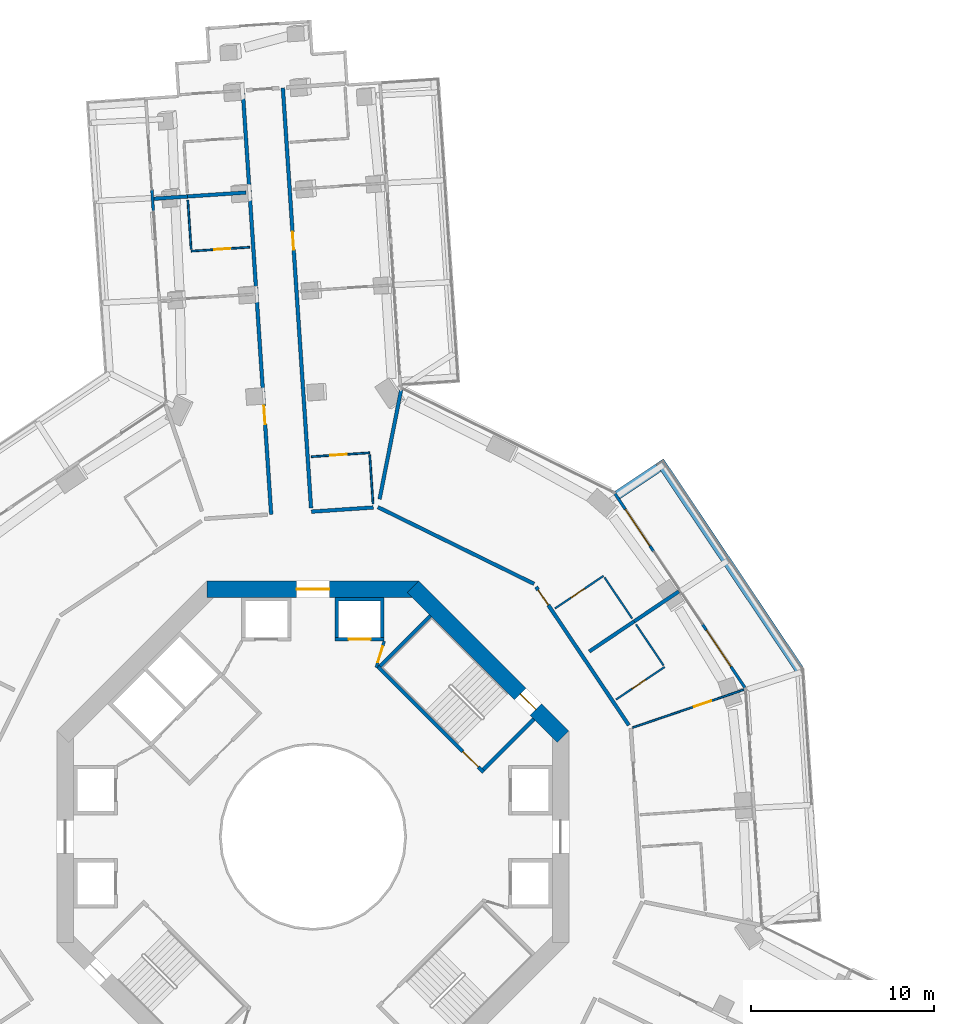
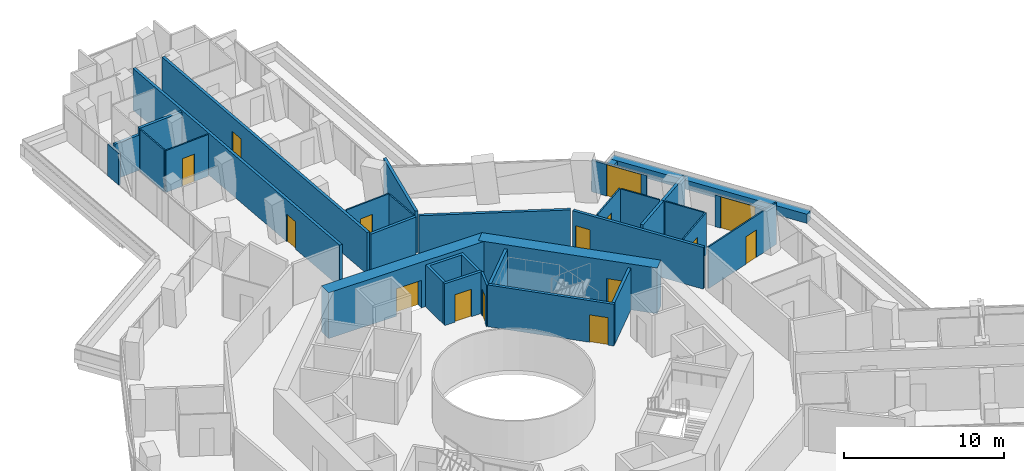
# One storey, part 21 of 25: 32 walls, 15 doors, 15 openings.
"""IFC4 building model written with IfcOpenShell, lengths in metres."""

from ifc_helpers import new_model, si_unit, direction, frame, frame_2d, origin, place, context, subcontext, project, spatial, polyline, rectangle, outline, extrude, material, layer, layer_set, type_object, element, fill, save


model = new_model("IFC4")

# Units and contexts
model_context = context("Model", 3, precision=1e-05, world=origin(), true_north=direction((0.0, 1.0)))
body_context = subcontext(model_context, "Body", "Model", "MODEL_VIEW")
ifc_project = project(units=[si_unit("LENGTHUNIT", "METRE"), si_unit("AREAUNIT", "SQUARE_METRE"), si_unit("VOLUMEUNIT", "CUBIC_METRE"), si_unit("PLANEANGLEUNIT", "RADIAN"), si_unit("MASSUNIT", "GRAM", prefix="KILO")], contexts=[model_context])

# Site, building, storey
site_placement = place(None, origin())
site = spatial("IfcSite", under=ifc_project, at=site_placement, CompositionType="ELEMENT")
building_placement = place(site_placement, origin())
building = spatial("IfcBuilding", under=site, at=building_placement, Name="Verdalira Terraces Hotel", CompositionType="ELEMENT")
storey_placement = place(building_placement, frame((0.0, 0.0, 49.5)))
storey = spatial("IfcBuildingStorey", under=building, at=storey_placement, Name="L10", CompositionType="ELEMENT", Elevation=49.5)

# Walls
ifc_material_1 = material(Name="Concrete C40", Category="concrete")
ifc_layer_1 = layer(ifc_material_1, 0.5)
ifc_layer_set_1 = layer_set([ifc_layer_1], Name="Balcony planter trough with tree")
wall_type_1 = type_object("IfcWallType", Name="Balcony planter trough with tree", PredefinedType="SOLIDWALL", material=ifc_layer_set_1)
wall_1_placement = place(storey_placement, frame((26.621582, 9.151855, 0.0), z_axis=(0.0, 0.0, 1.0), x_axis=(-0.55686597, 0.830602367, 0.0)))
element("IfcWall", 1, at=wall_1_placement, inside=storey, type_object=wall_type_1, Name="Balcony planter", PredefinedType="SOLIDWALL", context=body_context, shape_type="SweptSolid", body=[
    extrude(rectangle(XDim=13.723389, YDim=0.5, at=frame_2d((6.861816, 0.0))), origin(), (0.0, 0.0, 1.0), 0.699951),
])
wall_2_placement = place(storey_placement, frame((18.910889, 20.203613, 0.0), z_axis=(0.0, 0.0, 1.0), x_axis=(-0.830600108, -0.556869339, 0.0)))
element("IfcWall", 2, at=wall_2_placement, inside=storey, type_object=wall_type_1, Name="Balcony planter", PredefinedType="SOLIDWALL", context=body_context, shape_type="SweptSolid", body=[
    extrude(rectangle(XDim=2.698975, YDim=0.5, at=frame_2d((1.349609, 0.0))), origin(), (0.0, 0.0, 1.0), 0.699951),
])
ifc_material_2 = material(Name="Moisture-resistant gypsum board partition")
ifc_layer_2 = layer(ifc_material_2, 0.10009765625)
ifc_layer_set_2 = layer_set([ifc_layer_2], Name="Bathroom partition 100 mm")
wall_type_2 = type_object("IfcWallType", Name="Bathroom partition 100 mm", PredefinedType="PARTITIONING", material=ifc_layer_set_2)
wall_3_placement = place(storey_placement, frame((-6.848877, 34.844238, 0.0), z_axis=(0.0, 0.0, 1.0), x_axis=(0.066915118, -0.997758672, 0.0)))
element("IfcWall", 3, at=wall_3_placement, inside=storey, type_object=wall_type_2, Name="Bathroom partition", PredefinedType="PARTITIONING", context=body_context, shape_type="SweptSolid", body=[
    extrude(rectangle(XDim=2.699951, YDim=0.100098, at=frame_2d((1.350098, 0.0))), origin(), (0.0, 0.0, 1.0), 3.189941),
])

# Wall, opening, door
wall_4_placement = place(storey_placement, frame((-6.661377, 32.050537, 0.0), z_axis=(0.0, 0.0, 1.0), x_axis=(0.997753992, 0.06698486, 0.0)))
wall_4 = element("IfcWall", 4, at=wall_4_placement, inside=storey, type_object=wall_type_2, Name="Bathroom partition", PredefinedType="PARTITIONING", context=body_context, shape_type="SweptSolid", body=[
    extrude(rectangle(XDim=3.199951, YDim=0.100098, at=frame_2d((1.600098, 0.0))), origin(), (0.0, 0.0, 1.0), 3.189941),
])
opening_1_placement = place(wall_4_placement, frame((1.25, 0.0, 0.0)))
opening_1 = element("IfcOpeningElement", 5, at=opening_1_placement, cuts=wall_4, Name="Opening L10-111", PredefinedType="OPENING", context=body_context, shape_type="SweptSolid", body=[
    extrude(rectangle(XDim=0.899902, YDim=2.100098, at=frame_2d((0.449951, 1.050049))), frame((0.0, 0.060059, 0.0), z_axis=(0.0, -1.0, 0.0), x_axis=(1.0, 0.0, 0.0)), (0.0, 0.0, 1.0), 0.120117),
])
ifc_material_3 = material(Name="Timber door", Category="wood")
door_type_1 = type_object("IfcDoorType", Name="Bathroom door 900 x 2100", OperationType="NOTDEFINED", PredefinedType="DOOR", material=ifc_material_3)
door_1_placement = place(opening_1_placement, origin())
door_1 = element("IfcDoor", 6, at=door_1_placement, inside=storey, type_object=door_type_1, Name="Bathroom door 1003", OperationType="SINGLE_SWING_LEFT", OverallHeight=2.10009765625, OverallWidth=0.89990234375, PredefinedType="DOOR", context=body_context, shape_type="SweptSolid", body=[
    extrude(rectangle(XDim=0.899902, YDim=2.100098, at=frame_2d((0.449951, 1.050049))), frame((0.0, 0.024902, 0.0), z_axis=(0.0, -1.0, 0.0), x_axis=(1.0, 0.0, 0.0)), (0.0, 0.0, 1.0), 0.050049),
])
fill(opening_1, door_1)

wall_5_placement = place(storey_placement, frame((3.099609, 21.013184, 0.0), z_axis=(0.0, 0.0, 1.0), x_axis=(-0.99775365, -0.06698996, 0.0)))
wall_5 = element("IfcWall", 7, at=wall_5_placement, inside=storey, type_object=wall_type_2, Name="Bathroom partition", PredefinedType="PARTITIONING", context=body_context, shape_type="SweptSolid", body=[
    extrude(rectangle(XDim=3.199707, YDim=0.100098, at=frame_2d((1.599854, 0.0))), origin(), (0.0, 0.0, 1.0), 3.189941),
])
opening_2_placement = place(wall_5_placement, frame((1.25, 0.0, 0.0)))
opening_2 = element("IfcOpeningElement", 8, at=opening_2_placement, cuts=wall_5, Name="Opening L10-104", PredefinedType="OPENING", context=body_context, shape_type="SweptSolid", body=[
    extrude(rectangle(XDim=0.899902, YDim=2.100098, at=frame_2d((0.449951, 1.050049))), frame((0.0, 0.060059, 0.0), z_axis=(0.0, -1.0, 0.0), x_axis=(1.0, 0.0, 0.0)), (0.0, 0.0, 1.0), 0.120117),
])
door_2_placement = place(opening_2_placement, origin())
door_2 = element("IfcDoor", 9, at=door_2_placement, inside=storey, type_object=door_type_1, Name="Bathroom door 1001", OperationType="SINGLE_SWING_LEFT", OverallHeight=2.10009765625, OverallWidth=0.89990234375, PredefinedType="DOOR", context=body_context, shape_type="SweptSolid", body=[
    extrude(rectangle(XDim=0.899902, YDim=2.100098, at=frame_2d((0.449951, 1.050049))), frame((0.0, 0.024902, 0.0), z_axis=(0.0, -1.0, 0.0), x_axis=(1.0, 0.0, 0.0)), (0.0, 0.0, 1.0), 0.050049),
])
fill(opening_2, door_2)

# Wall
wall_6_placement = place(storey_placement, frame((3.287109, 18.219482, 0.0), z_axis=(0.0, 0.0, 1.0), x_axis=(-0.066915118, 0.997758672, 0.0)))
element("IfcWall", 10, at=wall_6_placement, inside=storey, type_object=wall_type_2, Name="Bathroom partition", PredefinedType="PARTITIONING", context=body_context, shape_type="SweptSolid", body=[
    extrude(rectangle(XDim=2.699951, YDim=0.100098, at=frame_2d((1.350098, 0.0))), origin(), (0.0, 0.0, 1.0), 3.189941),
])

# Wall, opening, door
wall_7_placement = place(storey_placement, frame((15.90332, 14.274414, 0.0), z_axis=(0.0, 0.0, 1.0), x_axis=(-0.830544822, -0.556951792, 0.0)))
wall_7 = element("IfcWall", 11, at=wall_7_placement, inside=storey, type_object=wall_type_2, Name="Bathroom partition", PredefinedType="PARTITIONING", context=body_context, shape_type="SweptSolid", body=[
    extrude(rectangle(XDim=3.199951, YDim=0.100098, at=frame_2d((1.600098, 0.0))), origin(), (0.0, 0.0, 1.0), 3.189941),
])
opening_3_placement = place(wall_7_placement, frame((1.25, 0.0, 0.0)))
opening_3 = element("IfcOpeningElement", 12, at=opening_3_placement, cuts=wall_7, Name="Opening L10-138", PredefinedType="OPENING", context=body_context, shape_type="SweptSolid", body=[
    extrude(rectangle(XDim=0.899902, YDim=2.100098, at=frame_2d((0.449951, 1.050049))), frame((0.0, 0.060059, 0.0), z_axis=(0.0, -1.0, 0.0), x_axis=(1.0, 0.0, 0.0)), (0.0, 0.0, 1.0), 0.120117),
])
door_3_placement = place(opening_3_placement, origin())
door_3 = element("IfcDoor", 13, at=door_3_placement, inside=storey, type_object=door_type_1, Name="Bathroom door 1015", OperationType="SINGLE_SWING_LEFT", OverallHeight=2.10009765625, OverallWidth=0.89990234375, PredefinedType="DOOR", context=body_context, shape_type="SweptSolid", body=[
    extrude(rectangle(XDim=0.899902, YDim=2.100098, at=frame_2d((0.449951, 1.050049))), frame((0.0, 0.024902, 0.0), z_axis=(0.0, -1.0, 0.0), x_axis=(1.0, 0.0, 0.0)), (0.0, 0.0, 1.0), 0.050049),
])
fill(opening_3, door_3)

# Wall
wall_8_placement = place(storey_placement, frame((15.958984, 14.191406, 0.0), z_axis=(0.0, 0.0, 1.0), x_axis=(0.55688919, -0.830586799, 0.0)))
element("IfcWall", 14, at=wall_8_placement, inside=storey, type_object=wall_type_2, Name="Bathroom partition", PredefinedType="PARTITIONING", context=body_context, shape_type="SweptSolid", body=[
    extrude(rectangle(XDim=2.700195, YDim=0.100098, at=frame_2d((1.350098, 0.0))), origin(), (0.0, 0.0, 1.0), 3.189941),
])

# Wall, opening, door
wall_9_placement = place(storey_placement, frame((16.58667, 7.508789, 0.0), z_axis=(0.0, 0.0, 1.0), x_axis=(0.830603775, 0.55686387, 0.0)))
wall_9 = element("IfcWall", 15, at=wall_9_placement, inside=storey, type_object=wall_type_2, Name="Bathroom partition", PredefinedType="PARTITIONING", context=body_context, shape_type="SweptSolid", body=[
    extrude(rectangle(XDim=3.199951, YDim=0.100098, at=frame_2d((1.600098, 0.0))), origin(), (0.0, 0.0, 1.0), 3.189941),
])
opening_4_placement = place(wall_9_placement, frame((1.050049, 0.0, 0.0)))
opening_4 = element("IfcOpeningElement", 16, at=opening_4_placement, cuts=wall_9, Name="Opening L10-136", PredefinedType="OPENING", context=body_context, shape_type="SweptSolid", body=[
    extrude(rectangle(XDim=0.899902, YDim=2.100098, at=frame_2d((0.449951, 1.050049))), frame((0.0, 0.060059, 0.0), z_axis=(0.0, -1.0, 0.0), x_axis=(1.0, 0.0, 0.0)), (0.0, 0.0, 1.0), 0.120117),
])
door_4_placement = place(opening_4_placement, origin())
door_4 = element("IfcDoor", 17, at=door_4_placement, inside=storey, type_object=door_type_1, Name="Bathroom door 1014", OperationType="SINGLE_SWING_RIGHT", OverallHeight=2.10009765625, OverallWidth=0.89990234375, PredefinedType="DOOR", context=body_context, shape_type="SweptSolid", body=[
    extrude(rectangle(XDim=0.899902, YDim=2.100098, at=frame_2d((0.449951, 1.050049))), frame((0.0, 0.024902, 0.0), z_axis=(0.0, -1.0, 0.0), x_axis=(1.0, 0.0, 0.0)), (0.0, 0.0, 1.0), 0.050049),
])
fill(opening_4, door_4)

# Wall
wall_10_placement = place(storey_placement, frame((19.188965, 9.373779, 0.0), z_axis=(0.0, 0.0, 1.0), x_axis=(-0.55688919, 0.830586799, 0.0)))
element("IfcWall", 18, at=wall_10_placement, inside=storey, type_object=wall_type_2, Name="Bathroom partition", PredefinedType="PARTITIONING", context=body_context, shape_type="SweptSolid", body=[
    extrude(rectangle(XDim=2.700195, YDim=0.100098, at=frame_2d((1.350098, 0.0))), origin(), (0.0, 0.0, 1.0), 3.189941),
])

# Wall, opening, door
wall_11_placement = place(storey_placement, frame((17.497803, 5.970459, 0.0), z_axis=(0.0, 0.0, 1.0), x_axis=(0.946431654, 0.322904203, 0.0)))
wall_11 = element("IfcWall", 19, at=wall_11_placement, inside=storey, type_object=wall_type_2, Name="Bathroom partition", PredefinedType="PARTITIONING", context=body_context, shape_type="SweptSolid", body=[
    extrude(rectangle(XDim=6.47583, YDim=0.100098, at=frame_2d((3.237793, 0.0))), origin(), (0.0, 0.0, 1.0), 3.189941),
])
opening_5_placement = place(wall_11_placement, frame((3.550049, 0.0, 0.0)))
opening_5 = element("IfcOpeningElement", 20, at=opening_5_placement, cuts=wall_11, Name="Opening L10-134", PredefinedType="OPENING", context=body_context, shape_type="SweptSolid", body=[
    extrude(rectangle(XDim=1.0, YDim=2.100098, at=frame_2d((0.5, 1.050049))), frame((0.0, 0.060059, 0.0), z_axis=(0.0, -1.0, 0.0), x_axis=(1.0, 0.0, 0.0)), (0.0, 0.0, 1.0), 0.120117),
])
ifc_material_4 = material(Name="Timber door", Category="wood")
door_type_2 = type_object("IfcDoorType", Name="Suite internal door 1000 x 2100", OperationType="NOTDEFINED", PredefinedType="DOOR", material=ifc_material_4)
door_5_placement = place(opening_5_placement, origin())
door_5 = element("IfcDoor", 21, at=door_5_placement, inside=storey, type_object=door_type_2, Name="Suite internal door 1014", OperationType="SINGLE_SWING_LEFT", OverallHeight=2.10009765625, OverallWidth=1.0, PredefinedType="DOOR", context=body_context, shape_type="SweptSolid", body=[
    extrude(rectangle(XDim=1.0, YDim=2.100098, at=frame_2d((0.5, 1.050049))), frame((0.0, 0.024902, 0.0), z_axis=(0.0, -1.0, 0.0), x_axis=(1.0, 0.0, 0.0)), (0.0, 0.0, 1.0), 0.050049),
])
fill(opening_5, door_5)

# Wall
ifc_material_5 = material(Name="Concrete C50", Category="concrete")
ifc_layer_3 = layer(ifc_material_5, 0.199951171875)
ifc_layer_set_3 = layer_set([ifc_layer_3], Name="Core RC wall 200 C50")
wall_type_3 = type_object("IfcWallType", Name="Core RC wall 200 C50", PredefinedType="SOLIDWALL", material=ifc_layer_set_3)
wall_12_placement = place(storey_placement, origin())
element("IfcWall", 22, at=wall_12_placement, inside=storey, type_object=wall_type_3, Name="L10 shaft wall N1", PredefinedType="SOLIDWALL", context=body_context, shape_type="SweptSolid", body=[
    extrude(outline(polyline([(3.899902, 13.100098), (3.899902, 10.899902), (3.699951, 10.899902), (3.699951, 12.899902), (1.399902, 12.899902), (1.399902, 10.899902), (1.199951, 10.899902), (1.199951, 13.100098), (3.899902, 13.100098)])), origin(), (0.0, 0.0, 1.0), 3.189941),
])

# Wall, opening, door
wall_13_placement = place(storey_placement, frame((1.199951, 10.800049, 0.0), z_axis=(0.0, 0.0, 1.0), x_axis=(1.0, 0.0, 0.0)))
wall_13 = element("IfcWall", 23, at=wall_13_placement, inside=storey, type_object=wall_type_3, Name="L10 shaft front wall N1", PredefinedType="SOLIDWALL", context=body_context, shape_type="SweptSolid", body=[
    extrude(rectangle(XDim=2.699951, YDim=0.199951, at=frame_2d((1.350098, 0.0))), origin(), (0.0, 0.0, 1.0), 3.189941),
])
opening_6_placement = place(wall_13_placement, frame((0.75, 0.0, 0.0)))
opening_6 = element("IfcOpeningElement", 24, at=opening_6_placement, cuts=wall_13, Name="Opening LD-L10-803", PredefinedType="OPENING", context=body_context, shape_type="SweptSolid", body=[
    extrude(rectangle(XDim=1.199951, YDim=2.100098, at=frame_2d((0.600098, 1.050049))), frame((0.0, 0.109863, 0.0), z_axis=(0.0, -1.0, 0.0), x_axis=(1.0, 0.0, 0.0)), (0.0, 0.0, 1.0), 0.219971),
])
ifc_material_6 = material(Name="Stainless steel", Category="steel")
door_type_3 = type_object("IfcDoorType", Name="Landing door 1200 x 2100", OperationType="NOTDEFINED", PredefinedType="DOOR", material=ifc_material_6)
door_6_placement = place(opening_6_placement, origin())
door_6 = element("IfcDoor", 25, at=door_6_placement, inside=storey, type_object=door_type_3, Name="Lift landing door LR3 L10", OperationType="DOUBLE_DOOR_SLIDING", OverallHeight=2.10009765625, OverallWidth=1.199951171875, PredefinedType="DOOR", context=body_context, shape_type="SweptSolid", body=[
    extrude(rectangle(XDim=1.199951, YDim=2.100098, at=frame_2d((0.600098, 1.050049))), frame((0.0, 0.024902, 0.0), z_axis=(0.0, -1.0, 0.0), x_axis=(1.0, 0.0, 0.0)), (0.0, 0.0, 1.0), 0.050049),
])
fill(opening_6, door_6)

wall_14_placement = place(storey_placement, frame((3.5354, 9.33374, 0.0), z_axis=(0.0, 0.0, 1.0), x_axis=(0.707106781, -0.707106781, 0.0)))
wall_14 = element("IfcWall", 26, at=wall_14_placement, inside=storey, type_object=wall_type_3, Name="L10 stair ST1 front wall", PredefinedType="SOLIDWALL", context=body_context, shape_type="SweptSolid", body=[
    extrude(rectangle(XDim=8.200195, YDim=0.199951, at=frame_2d((4.100098, 0.0))), origin(), (0.0, 0.0, 1.0), 3.189941),
])
opening_7_placement = place(wall_14_placement, frame((6.600098, 0.0, 0.0)))
opening_7 = element("IfcOpeningElement", 27, at=opening_7_placement, cuts=wall_14, Name="Opening L10-809", PredefinedType="OPENING", context=body_context, shape_type="SweptSolid", body=[
    extrude(rectangle(XDim=1.199951, YDim=2.100098, at=frame_2d((0.600098, 1.050049))), frame((0.0, 0.109863, 0.0), z_axis=(0.0, -1.0, 0.0), x_axis=(1.0, 0.0, 0.0)), (0.0, 0.0, 1.0), 0.219971),
])
ifc_material_7 = material(Name="Steel fire door", Category="steel")
door_type_4 = type_object("IfcDoorType", Name="Stair door 1200 x 2100", OperationType="NOTDEFINED", PredefinedType="DOOR", material=ifc_material_7)
door_7_placement = place(opening_7_placement, origin())
door_7 = element("IfcDoor", 28, at=door_7_placement, inside=storey, type_object=door_type_4, Name="Stair door ST1 L10", OperationType="SINGLE_SWING_RIGHT", OverallHeight=2.10009765625, OverallWidth=1.199951171875, PredefinedType="DOOR", context=body_context, shape_type="SweptSolid", body=[
    extrude(rectangle(XDim=1.199951, YDim=2.100098, at=frame_2d((0.600098, 1.050049))), frame((0.0, 0.024902, 0.0), z_axis=(0.0, -1.0, 0.0), x_axis=(1.0, 0.0, 0.0)), (0.0, 0.0, 1.0), 0.050049),
])
fill(opening_7, door_7)

# Walls
for number, where, z_axis, x_axis, name in (
    (29, (9.33374, 3.677002, 0.0), (0.0, 0.0, 1.0), (0.707106781, 0.707106781, 0.0), "L10 stair ST1 end wall 1"),
    (30, (3.677002, 9.33374, 0.0), (0.0, 0.0, 1.0), (0.707106781, 0.707106781, 0.0), "L10 stair ST1 end wall 2"),
):
    element("IfcWall", number, at=place(storey_placement, frame(where, z_axis=z_axis, x_axis=x_axis)), inside=storey, type_object=wall_type_3, Name=name, PredefinedType="SOLIDWALL", context=body_context, shape_type="SweptSolid", body=[
        extrude(rectangle(XDim=3.900146, YDim=0.199951, at=frame_2d((1.950195, 0.0))), origin(), (0.0, 0.0, 1.0), 3.189941),
    ])

# Wall, opening, door
ifc_material_8 = material(Name="Gypsum board partition")
ifc_layer_4 = layer(ifc_material_8, 0.14990234375)
ifc_layer_set_4 = layer_set([ifc_layer_4], Name="Core partition 150 mm")
wall_type_4 = type_object("IfcWallType", Name="Core partition 150 mm", PredefinedType="PARTITIONING", material=ifc_layer_set_4)
wall_15_placement = place(storey_placement, frame((3.464844, 9.263184, 0.0), z_axis=(0.0, 0.0, 1.0), x_axis=(0.289808785, 0.957084567, 0.0)))
wall_15 = element("IfcWall", 31, at=wall_15_placement, inside=storey, type_object=wall_type_4, Name="Room partition L10", PredefinedType="PARTITIONING", context=body_context, shape_type="SweptSolid", body=[
    extrude(rectangle(XDim=1.501221, YDim=0.149902, at=frame_2d((0.750488, 0.0))), origin(), (0.0, 0.0, 1.0), 3.189941),
])
opening_8_placement = place(wall_15_placement, frame((0.300781, 0.0, 0.0)))
opening_8 = element("IfcOpeningElement", 32, at=opening_8_placement, cuts=wall_15, Name="Opening L10-820", PredefinedType="OPENING", context=body_context, shape_type="SweptSolid", body=[
    extrude(rectangle(XDim=0.899902, YDim=2.100098, at=frame_2d((0.449951, 1.050049))), frame((0.0, 0.084961, 0.0), z_axis=(0.0, -1.0, 0.0), x_axis=(1.0, 0.0, 0.0)), (0.0, 0.0, 1.0), 0.169922),
])
ifc_material_9 = material(Name="Steel fire door", Category="steel")
door_type_5 = type_object("IfcDoorType", Name="Core room door 900 x 2100", OperationType="NOTDEFINED", PredefinedType="DOOR", material=ifc_material_9)
door_8_placement = place(opening_8_placement, origin())
door_8 = element("IfcDoor", 33, at=door_8_placement, inside=storey, type_object=door_type_5, Name="Door L10 room1", OperationType="SINGLE_SWING_LEFT", OverallHeight=2.10009765625, OverallWidth=0.89990234375, PredefinedType="DOOR", context=body_context, shape_type="SweptSolid", body=[
    extrude(rectangle(XDim=0.899902, YDim=2.100098, at=frame_2d((0.449951, 1.050049))), frame((0.0, 0.024902, 0.0), z_axis=(0.0, -1.0, 0.0), x_axis=(1.0, 0.0, 0.0)), (0.0, 0.0, 1.0), 0.050049),
])
fill(opening_8, door_8)

ifc_material_10 = material(Name="Concrete C70", Category="concrete")
ifc_layer_5 = layer(ifc_material_10, 0.89990234375)
ifc_layer_set_5 = layer_set([ifc_layer_5], Name="Core wall 900 C70")
wall_type_5 = type_object("IfcWallType", Name="Core wall 900 C70", PredefinedType="SHEAR", material=ifc_layer_set_5)
wall_16_placement = place(storey_placement, frame((13.681885, 5.480713, 0.0), z_axis=(0.0, 0.0, 1.0), x_axis=(-0.707106781, 0.707106781, 0.0)))
wall_16 = element("IfcWall", 34, at=wall_16_placement, inside=storey, type_object=wall_type_5, Name="Core wall CW-L10-2", PredefinedType="SHEAR", context=body_context, shape_type="SweptSolid", body=[
    extrude(rectangle(XDim=11.598145, YDim=0.899902, at=frame_2d((5.799072, 0.0))), origin(), (0.0, 0.0, 1.0), 3.5),
])
opening_9_placement = place(wall_16_placement, frame((2.099121, 0.0, 0.0)))
opening_9 = element("IfcOpeningElement", 35, at=opening_9_placement, cuts=wall_16, Name="Opening L10-816", PredefinedType="OPENING", context=body_context, shape_type="SweptSolid", body=[
    extrude(rectangle(XDim=1.199951, YDim=2.100098, at=frame_2d((0.600098, 1.050049))), frame((0.0, 0.459961, 0.0), z_axis=(0.0, -1.0, 0.0), x_axis=(1.0, 0.0, 0.0)), (0.0, 0.0, 1.0), 0.919922),
])
door_9_placement = place(opening_9_placement, origin())
door_9 = element("IfcDoor", 36, at=door_9_placement, inside=storey, type_object=door_type_4, Name="Stair exit door ST1 L10", OperationType="SINGLE_SWING_LEFT", OverallHeight=2.10009765625, OverallWidth=1.199951171875, PredefinedType="DOOR", context=body_context, shape_type="SweptSolid", body=[
    extrude(rectangle(XDim=1.199951, YDim=2.100098, at=frame_2d((0.600098, 1.050049))), frame((0.0, 0.024902, 0.0), z_axis=(0.0, -1.0, 0.0), x_axis=(1.0, 0.0, 0.0)), (0.0, 0.0, 1.0), 0.050049),
])
fill(opening_9, door_9)

wall_17_placement = place(storey_placement, frame((5.799072, 13.550049, 0.0), z_axis=(0.0, 0.0, 1.0), x_axis=(-1.0, 0.0, 0.0)))
wall_17 = element("IfcWall", 37, at=wall_17_placement, inside=storey, type_object=wall_type_5, Name="Core wall CW-L10-3", PredefinedType="SHEAR", context=body_context, shape_type="SweptSolid", body=[
    extrude(rectangle(XDim=11.598145, YDim=0.899902, at=frame_2d((5.799072, 0.0))), origin(), (0.0, 0.0, 1.0), 3.5),
])
opening_10_placement = place(wall_17_placement, frame((4.898926, 0.0, 0.0)))
opening_10 = element("IfcOpeningElement", 38, at=opening_10_placement, cuts=wall_17, Name="Opening L10-813", PredefinedType="OPENING", context=body_context, shape_type="SweptSolid", body=[
    extrude(rectangle(XDim=1.800049, YDim=2.100098, at=frame_2d((0.899902, 1.050049))), frame((0.0, 0.459961, 0.0), z_axis=(0.0, -1.0, 0.0), x_axis=(1.0, 0.0, 0.0)), (0.0, 0.0, 1.0), 0.919922),
])
ifc_material_11 = material(Name="Steel fire door", Category="steel")
door_type_6 = type_object("IfcDoorType", Name="Core entry door pair 1800 x 2100", OperationType="NOTDEFINED", PredefinedType="DOOR", material=ifc_material_11)
door_10_placement = place(opening_10_placement, origin())
door_10 = element("IfcDoor", 39, at=door_10_placement, inside=storey, type_object=door_type_6, Name="Core entry door L10 2", OperationType="DOUBLE_DOOR_SINGLE_SWING", OverallHeight=2.10009765625, OverallWidth=1.800048828125, PredefinedType="DOOR", context=body_context, shape_type="SweptSolid", body=[
    extrude(rectangle(XDim=1.800049, YDim=2.100098, at=frame_2d((0.899902, 1.050049))), frame((0.0, 0.024902, 0.0), z_axis=(0.0, -1.0, 0.0), x_axis=(1.0, 0.0, 0.0)), (0.0, 0.0, 1.0), 0.050049),
])
fill(opening_10, door_10)

# Walls
ifc_material_12 = material(Name="Fire-rated gypsum board wall")
ifc_layer_6 = layer(ifc_material_12, 0.199951171875)
ifc_layer_set_6 = layer_set([ifc_layer_6], Name="Demising wall 200 mm")
wall_type_6 = type_object("IfcWallType", Name="Demising wall 200 mm", PredefinedType="SOLIDWALL", material=ifc_layer_set_6)
wall_18_placement = place(storey_placement, frame((-3.669434, 35.258301, 0.0), z_axis=(0.0, 0.0, 1.0), x_axis=(-0.997753992, -0.06698486, 0.0)))
element("IfcWall", 40, at=wall_18_placement, inside=storey, type_object=wall_type_6, Name="Demising wall", PredefinedType="SOLIDWALL", context=body_context, shape_type="SweptSolid", body=[
    extrude(rectangle(XDim=3.199951, YDim=0.199951, at=frame_2d((1.600098, 0.0))), origin(), (0.0, 0.0, 1.0), 3.189941),
])
wall_19_placement = place(storey_placement, frame((4.831787, 24.491943, 0.0), z_axis=(0.0, 0.0, 1.0), x_axis=(-0.193535211, -0.98109333, 0.0)))
element("IfcWall", 41, at=wall_19_placement, inside=storey, type_object=wall_type_6, Name="Demising wall", PredefinedType="SOLIDWALL", context=body_context, shape_type="SweptSolid", body=[
    extrude(rectangle(XDim=6.13208, YDim=0.199951, at=frame_2d((3.065918, 0.0))), origin(), (0.0, 0.0, 1.0), 3.189941),
])
wall_20_placement = place(storey_placement, frame((15.121582, 10.138184, 0.0), z_axis=(0.0, 0.0, 1.0), x_axis=(0.830546242, 0.556949675, 0.0)))
element("IfcWall", 42, at=wall_20_placement, inside=storey, type_object=wall_type_6, Name="Demising wall", PredefinedType="SOLIDWALL", context=body_context, shape_type="SweptSolid", body=[
    extrude(rectangle(XDim=2.952637, YDim=0.199951, at=frame_2d((1.476318, 0.0))), origin(), (0.0, 0.0, 1.0), 3.189941),
])
wall_21_placement = place(storey_placement, frame((17.573975, 11.782715, 0.0), z_axis=(0.0, 0.0, 1.0), x_axis=(0.830647114, 0.556799221, 0.0)))
element("IfcWall", 43, at=wall_21_placement, inside=storey, type_object=wall_type_6, Name="Demising wall", PredefinedType="SOLIDWALL", context=body_context, shape_type="SweptSolid", body=[
    extrude(rectangle(XDim=2.949951, YDim=0.199951, at=frame_2d((1.475098, 0.0))), origin(), (0.0, 0.0, 1.0), 3.189941),
])
ifc_material_13 = material(Name="Fire-rated gypsum board wall")
ifc_layer_7 = layer(ifc_material_13, 0.199951171875)
ifc_layer_set_7 = layer_set([ifc_layer_7], Name="Demising wall 200 mm to beam soffit")
wall_type_7 = type_object("IfcWallType", Name="Demising wall 200 mm to beam soffit", PredefinedType="SOLIDWALL", material=ifc_layer_set_7)
wall_22_placement = place(storey_placement, frame((-6.862305, 35.043945, 0.0), z_axis=(0.0, 0.0, 1.0), x_axis=(-0.997750574, -0.067035748, 0.0)))
element("IfcWall", 44, at=wall_22_placement, inside=storey, type_object=wall_type_7, Name="Demising wall", PredefinedType="SOLIDWALL", context=body_context, shape_type="SweptSolid", body=[
    extrude(rectangle(XDim=1.850098, YDim=0.199951, at=frame_2d((0.925049, 0.0))), origin(), (0.0, 0.0, 1.0), 2.689941),
])

# Wall, opening, door
ifc_material_14 = material(Name="Fire-rated gypsum board wall")
ifc_layer_8 = layer(ifc_material_14, 0.199951171875)
ifc_layer_set_8 = layer_set([ifc_layer_8], Name="Guest corridor wall 200 mm")
wall_type_8 = type_object("IfcWallType", Name="Guest corridor wall 200 mm", PredefinedType="SOLIDWALL", material=ifc_layer_set_8)
wall_23_placement = place(storey_placement, frame((-2.286865, 17.644775, 0.0), z_axis=(0.0, 0.0, 1.0), x_axis=(-0.066974116, 0.997754713, 0.0)))
wall_23 = element("IfcWall", 45, at=wall_23_placement, inside=storey, type_object=wall_type_8, Name="Guest corridor wall", PredefinedType="SOLIDWALL", context=body_context, shape_type="SweptSolid", body=[
    extrude(rectangle(XDim=23.249756, YDim=0.199951, at=frame_2d((11.625, 0.0))), origin(), (0.0, 0.0, 1.0), 3.189941),
])
opening_11_placement = place(wall_23_placement, frame((4.949951, 0.0, 0.0)))
opening_11 = element("IfcOpeningElement", 46, at=opening_11_placement, cuts=wall_23, Name="Opening L10-109", PredefinedType="OPENING", context=body_context, shape_type="SweptSolid", body=[
    extrude(rectangle(XDim=1.0, YDim=2.100098, at=frame_2d((0.5, 1.050049))), frame((0.0, 0.109863, 0.0), z_axis=(0.0, -1.0, 0.0), x_axis=(1.0, 0.0, 0.0)), (0.0, 0.0, 1.0), 0.219971),
])
ifc_material_15 = material(Name="Timber fire door", Category="wood")
door_type_7 = type_object("IfcDoorType", Name="Guest entry door 1000 x 2100", OperationType="NOTDEFINED", PredefinedType="DOOR", material=ifc_material_15)
door_11_placement = place(opening_11_placement, origin())
door_11 = element("IfcDoor", 47, at=door_11_placement, inside=storey, type_object=door_type_7, Name="Guest entry door 1003", OperationType="SINGLE_SWING_LEFT", OverallHeight=2.10009765625, OverallWidth=1.0, PredefinedType="DOOR", context=body_context, shape_type="SweptSolid", body=[
    extrude(rectangle(XDim=1.0, YDim=2.100098, at=frame_2d((0.5, 1.050049))), frame((0.0, 0.024902, 0.0), z_axis=(0.0, -1.0, 0.0), x_axis=(1.0, 0.0, 0.0)), (0.0, 0.0, 1.0), 0.050049),
])
fill(opening_11, door_11)

wall_24_placement = place(storey_placement, frame((-1.648682, 40.989502, 0.0), z_axis=(0.0, 0.0, 1.0), x_axis=(0.066973147, -0.997754778, 0.0)))
wall_24 = element("IfcWall", 48, at=wall_24_placement, inside=storey, type_object=wall_type_8, Name="Guest corridor wall", PredefinedType="SOLIDWALL", context=body_context, shape_type="SweptSolid", body=[
    extrude(rectangle(XDim=23.049561, YDim=0.199951, at=frame_2d((11.524902, 0.0))), origin(), (0.0, 0.0, 1.0), 3.189941),
])
opening_12_placement = place(wall_24_placement, frame((7.883301, 0.0, 0.0)))
opening_12 = element("IfcOpeningElement", 49, at=opening_12_placement, cuts=wall_24, Name="Opening L10-101", PredefinedType="OPENING", context=body_context, shape_type="SweptSolid", body=[
    extrude(rectangle(XDim=1.0, YDim=2.100098, at=frame_2d((0.5, 1.050049))), frame((0.0, 0.109863, 0.0), z_axis=(0.0, -1.0, 0.0), x_axis=(1.0, 0.0, 0.0)), (0.0, 0.0, 1.0), 0.219971),
])
door_12_placement = place(opening_12_placement, origin())
door_12 = element("IfcDoor", 50, at=door_12_placement, inside=storey, type_object=door_type_7, Name="Guest entry door 1001", OperationType="SINGLE_SWING_LEFT", OverallHeight=2.10009765625, OverallWidth=1.0, PredefinedType="DOOR", context=body_context, shape_type="SweptSolid", body=[
    extrude(rectangle(XDim=1.0, YDim=2.100098, at=frame_2d((0.5, 1.050049))), frame((0.0, 0.024902, 0.0), z_axis=(0.0, -1.0, 0.0), x_axis=(1.0, 0.0, 0.0)), (0.0, 0.0, 1.0), 0.050049),
])
fill(opening_12, door_12)

# Walls
wall_25_placement = place(storey_placement, frame((3.300537, 18.019775, 0.0), z_axis=(0.0, 0.0, 1.0), x_axis=(-0.997753271, -0.066995596, 0.0)))
element("IfcWall", 51, at=wall_25_placement, inside=storey, type_object=wall_type_8, Name="Guest corridor wall", PredefinedType="SOLIDWALL", context=body_context, shape_type="SweptSolid", body=[
    extrude(rectangle(XDim=3.399902, YDim=0.199951, at=frame_2d((1.699951, 0.0))), origin(), (0.0, 0.0, 1.0), 3.189941),
])
wall_26_placement = place(storey_placement, frame((12.099609, 13.841797, 0.0), z_axis=(0.0, 0.0, 1.0), x_axis=(-0.897570713, 0.44087052, 0.0)))
element("IfcWall", 52, at=wall_26_placement, inside=storey, type_object=wall_type_8, Name="Guest corridor wall", PredefinedType="SOLIDWALL", context=body_context, shape_type="SweptSolid", body=[
    extrude(rectangle(XDim=9.515869, YDim=0.199951, at=frame_2d((4.757812, 0.0))), origin(), (0.0, 0.0, 1.0), 3.189941),
])

# Wall, opening, door
wall_27_placement = place(storey_placement, frame((12.211914, 13.674805, 0.0), z_axis=(0.0, 0.0, 1.0), x_axis=(0.556867612, -0.830601266, 0.0)))
wall_27 = element("IfcWall", 53, at=wall_27_placement, inside=storey, type_object=wall_type_8, Name="Guest corridor wall", PredefinedType="SOLIDWALL", context=body_context, shape_type="SweptSolid", body=[
    extrude(rectangle(XDim=9.115967, YDim=0.199951, at=frame_2d((4.558105, 0.0))), origin(), (0.0, 0.0, 1.0), 3.189941),
])
opening_13_placement = place(wall_27_placement, frame((0.199951, 0.0, 0.0)))
opening_13 = element("IfcOpeningElement", 54, at=opening_13_placement, cuts=wall_27, Name="Opening L10-137", PredefinedType="OPENING", context=body_context, shape_type="SweptSolid", body=[
    extrude(rectangle(XDim=1.0, YDim=2.100098, at=frame_2d((0.5, 1.050049))), frame((0.0, 0.109863, 0.0), z_axis=(0.0, -1.0, 0.0), x_axis=(1.0, 0.0, 0.0)), (0.0, 0.0, 1.0), 0.219971),
])
door_13_placement = place(opening_13_placement, origin())
door_13 = element("IfcDoor", 55, at=door_13_placement, inside=storey, type_object=door_type_7, Name="Guest entry door 1015", OperationType="SINGLE_SWING_LEFT", OverallHeight=2.10009765625, OverallWidth=1.0, PredefinedType="DOOR", context=body_context, shape_type="SweptSolid", body=[
    extrude(rectangle(XDim=1.0, YDim=2.100098, at=frame_2d((0.5, 1.050049))), frame((0.0, 0.024902, 0.0), z_axis=(0.0, -1.0, 0.0), x_axis=(1.0, 0.0, 0.0)), (0.0, 0.0, 1.0), 0.050049),
])
fill(opening_13, door_13)

# Wall
ifc_material_16 = material(Name="Terracotta cladding", Category="masonry")
ifc_layer_9 = layer(ifc_material_16, 0.14990234375)
ifc_layer_set_9 = layer_set([ifc_layer_9], Name="Terracotta column pier 150")
wall_type_9 = type_object("IfcWallType", Name="Terracotta column pier 150", PredefinedType="SOLIDWALL", material=ifc_layer_set_9)
wall_28_placement = place(storey_placement, frame((-8.816406, 35.413818, 0.0), z_axis=(0.0, 0.0, 1.0), x_axis=(0.066984891, -0.99775399, 0.0)))
element("IfcWall", 56, at=wall_28_placement, inside=storey, type_object=wall_type_9, Name="Terracotta column pier", PredefinedType="SOLIDWALL", context=body_context, shape_type="SweptSolid", body=[
    extrude(rectangle(XDim=1.217285, YDim=0.149902, at=frame_2d((0.608643, 0.0))), origin(), (0.0, 0.0, 1.0), 2.425049),
])

# Wall, opening, door
ifc_material_17 = material(Name="Terracotta cladding", Category="masonry")
ifc_layer_10 = layer(ifc_material_17, 0.14990234375)
ifc_layer_set_10 = layer_set([ifc_layer_10], Name="Terracotta door pier 150")
wall_type_10 = type_object("IfcWallType", Name="Terracotta door pier 150", PredefinedType="SOLIDWALL", material=ifc_layer_set_10)
wall_29_placement = place(storey_placement, frame((23.650391, 8.151367, 0.0), z_axis=(0.0, 0.0, 1.0), x_axis=(-0.556858652, 0.830607273, 0.0)))
wall_29 = element("IfcWall", 57, at=wall_29_placement, inside=storey, type_object=wall_type_10, Name="Terracotta door pier", PredefinedType="SOLIDWALL", context=body_context, shape_type="SweptSolid", body=[
    extrude(rectangle(XDim=4.19873, YDim=0.149902, at=frame_2d((2.099365, 0.0))), origin(), (0.0, 0.0, 1.0), 2.425049),
])
opening_14_placement = place(wall_29_placement, frame((1.398682, 0.0, 0.0)))
opening_14 = element("IfcOpeningElement", 58, at=opening_14_placement, cuts=wall_29, Name="Opening L10-B17", PredefinedType="OPENING", context=body_context, shape_type="SweptSolid", body=[
    extrude(rectangle(XDim=2.399902, YDim=2.399902, at=frame_2d((1.199951, 1.199951))), frame((0.0, 0.084961, 0.0), z_axis=(0.0, -1.0, 0.0), x_axis=(1.0, 0.0, 0.0)), (0.0, 0.0, 1.0), 0.169922),
])
ifc_material_18 = material(Name="Clear glass", Category="glass")
door_type_8 = type_object("IfcDoorType", Name="Balcony sliding door 2400x2400", OperationType="NOTDEFINED", PredefinedType="DOOR", material=ifc_material_18)
door_14_placement = place(opening_14_placement, origin())
door_14 = element("IfcDoor", 59, at=door_14_placement, inside=storey, type_object=door_type_8, Name="Balcony sliding door", OperationType="SLIDING_TO_LEFT", OverallHeight=2.39990234375, OverallWidth=2.39990234375, PredefinedType="DOOR", context=body_context, shape_type="SweptSolid", body=[
    extrude(rectangle(XDim=2.399902, YDim=2.399902, at=frame_2d((1.199951, 1.199951))), frame((0.0, 0.024902, 0.0), z_axis=(0.0, -1.0, 0.0), x_axis=(1.0, 0.0, 0.0)), (0.0, 0.0, 1.0), 0.050049),
])
fill(opening_14, door_14)

wall_30_placement = place(storey_placement, frame((18.661865, 15.592041, 0.0), z_axis=(0.0, 0.0, 1.0), x_axis=(-0.556868957, 0.830600364, 0.0)))
wall_30 = element("IfcWall", 60, at=wall_30_placement, inside=storey, type_object=wall_type_10, Name="Terracotta door pier", PredefinedType="SOLIDWALL", context=body_context, shape_type="SweptSolid", body=[
    extrude(rectangle(XDim=3.841309, YDim=0.149902, at=frame_2d((1.920654, 0.0))), origin(), (0.0, 0.0, 1.0), 2.425049),
])
opening_15_placement = place(wall_30_placement, frame((0.399902, 0.0, 0.0)))
opening_15 = element("IfcOpeningElement", 61, at=opening_15_placement, cuts=wall_30, Name="Opening L10-B18", PredefinedType="OPENING", context=body_context, shape_type="SweptSolid", body=[
    extrude(rectangle(XDim=2.399902, YDim=2.399902, at=frame_2d((1.199951, 1.199951))), frame((0.0, 0.084961, 0.0), z_axis=(0.0, -1.0, 0.0), x_axis=(1.0, 0.0, 0.0)), (0.0, 0.0, 1.0), 0.169922),
])
door_15_placement = place(opening_15_placement, origin())
door_15 = element("IfcDoor", 62, at=door_15_placement, inside=storey, type_object=door_type_8, Name="Balcony sliding door", OperationType="SLIDING_TO_RIGHT", OverallHeight=2.39990234375, OverallWidth=2.39990234375, PredefinedType="DOOR", context=body_context, shape_type="SweptSolid", body=[
    extrude(rectangle(XDim=2.399902, YDim=2.399902, at=frame_2d((1.199951, 1.199951))), frame((0.0, 0.024902, 0.0), z_axis=(0.0, -1.0, 0.0), x_axis=(1.0, 0.0, 0.0)), (0.0, 0.0, 1.0), 0.050049),
])
fill(opening_15, door_15)

save(model, "model.ifc")
